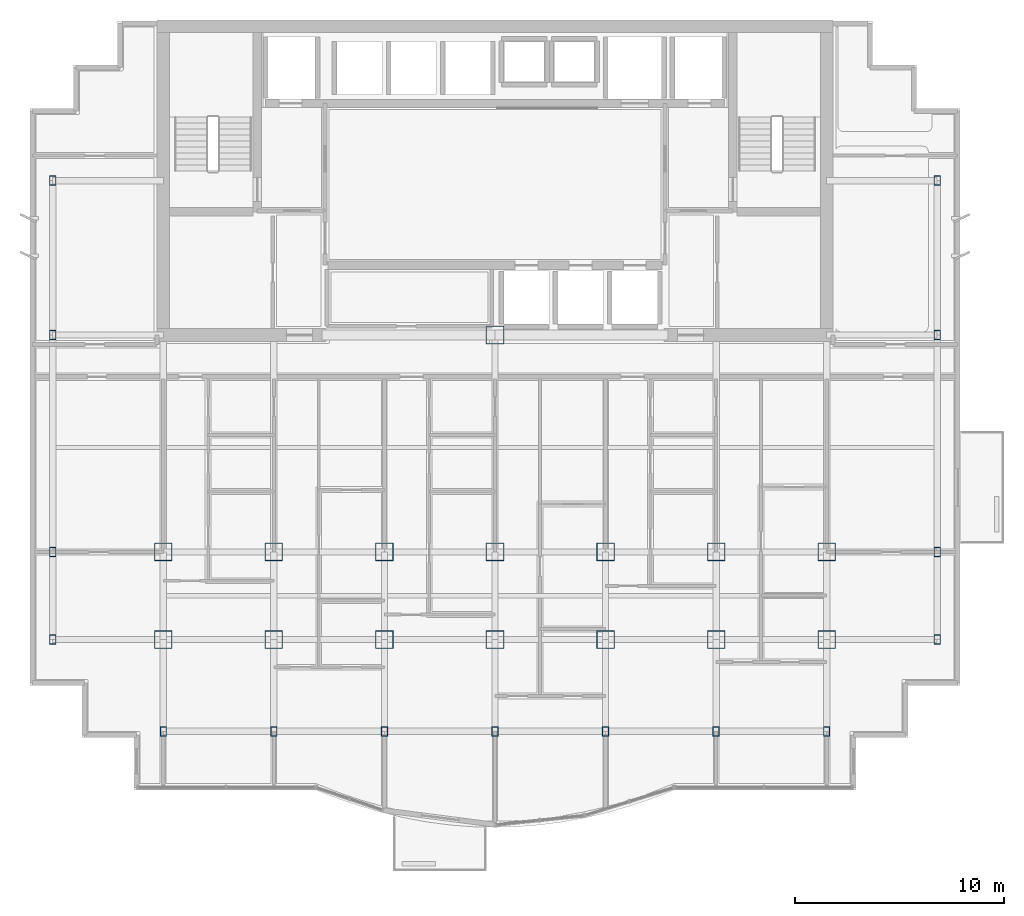
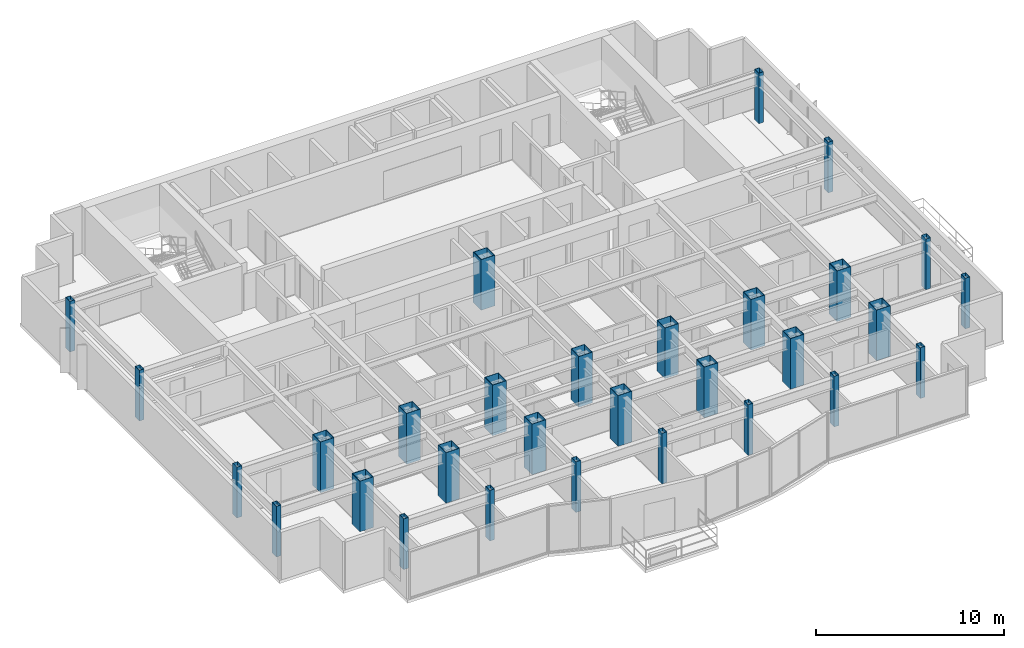
# One storey, part 1 of 11: 30 columns.
"""IFC4 building model written with IfcOpenShell, lengths in metres."""

from ifc_helpers import new_model, si_unit, direction, frame, origin, origin_2d, place, context, subcontext, project, spatial, hollow_rectangle, extrude, material, material_profile, profile_set, type_object, element, save


model = new_model("IFC4")

# Units and contexts
model_context = context("Model", 3, precision=1e-05, world=origin(), true_north=direction((0.0, 1.0)))
body_context = subcontext(model_context, "Body", "Model", "MODEL_VIEW")
ifc_project = project(units=[si_unit("LENGTHUNIT", "METRE"), si_unit("AREAUNIT", "SQUARE_METRE"), si_unit("VOLUMEUNIT", "CUBIC_METRE"), si_unit("PLANEANGLEUNIT", "RADIAN"), si_unit("MASSUNIT", "GRAM", prefix="KILO")], contexts=[model_context])

# Site, building, storey
site_placement = place(None, origin())
site = spatial("IfcSite", under=ifc_project, at=site_placement, CompositionType="ELEMENT")
building_placement = place(site_placement, origin())
building = spatial("IfcBuilding", under=site, at=building_placement, Name="Qianlan Lanfeng Residences", CompositionType="ELEMENT")
storey_placement = place(building_placement, frame((0.0, 0.0, 165.60009765625)))
storey = spatial("IfcBuildingStorey", under=building, at=storey_placement, Name="L45", CompositionType="ELEMENT", Elevation=165.60009765625)

# Columns
ifc_material = material(Name="Steel SN490B", Category="steel")
ifc_material_profile_1 = material_profile(ifc_material, hollow_rectangle(XDim=0.85009765625, YDim=0.85009765625, WallThickness=0.028076171875, at=origin_2d()), Name="BOX 850x850x28")
ifc_profile_set_1 = profile_set([ifc_material_profile_1], Name="Steel SN490B")
column_type_1 = type_object("IfcColumnType", Name="C-B900", PredefinedType="COLUMN", material=ifc_profile_set_1)
for number, where, z_axis, x_axis, name in (
    (1, (26.5, 25.199951171875, 0.0), (0.0, 0.0, 1.0), (1.0, 0.0, 0.0), "L45 Structural Column CP_26.5_25.2"),
    (2, (10.60009765625, 14.800048828125, 0.0), (0.0, 0.0, 1.0), (1.0, 0.0, 0.0), "L45 Structural Column M_10.60_14.80"),
    (3, (10.60009765625, 10.60009765625, 0.0), (0.0, 0.0, 1.0), (1.0, 0.0, 0.0), "L45 Structural Column G_10.60_10.60"),
    (4, (15.89990234375, 14.800048828125, 0.0), (0.0, 0.0, 1.0), (1.0, 0.0, 0.0), "L45 Structural Column M_15.90_14.80"),
    (5, (15.89990234375, 10.60009765625, 0.0), (0.0, 0.0, 1.0), (1.0, 0.0, 0.0), "L45 Structural Column G_15.90_10.60"),
    (6, (21.199951171875, 14.800048828125, 0.0), (0.0, 0.0, 1.0), (1.0, 0.0, 0.0), "L45 Structural Column M_21.20_14.80"),
    (7, (21.199951171875, 10.60009765625, 0.0), (0.0, 0.0, 1.0), (1.0, 0.0, 0.0), "L45 Structural Column G_21.20_10.60"),
    (8, (26.5, 14.800048828125, 0.0), (0.0, 0.0, 1.0), (1.0, 0.0, 0.0), "L45 Structural Column M_26.50_14.80"),
    (9, (26.5, 10.60009765625, 0.0), (0.0, 0.0, 1.0), (1.0, 0.0, 0.0), "L45 Structural Column G_26.50_10.60"),
    (10, (31.800048828125, 14.800048828125, 0.0), (0.0, 0.0, 1.0), (1.0, 0.0, 0.0), "L45 Structural Column M_31.80_14.80"),
    (11, (31.800048828125, 10.60009765625, 0.0), (0.0, 0.0, 1.0), (1.0, 0.0, 0.0), "L45 Structural Column G_31.80_10.60"),
    (12, (37.10009765625, 14.800048828125, 0.0), (0.0, 0.0, 1.0), (1.0, 0.0, 0.0), "L45 Structural Column M_37.10_14.80"),
    (13, (37.10009765625, 10.60009765625, 0.0), (0.0, 0.0, 1.0), (1.0, 0.0, 0.0), "L45 Structural Column G_37.10_10.60"),
    (14, (42.39990234375, 14.800048828125, 0.0), (0.0, 0.0, 1.0), (1.0, 0.0, 0.0), "L45 Structural Column M_42.40_14.80"),
    (15, (42.39990234375, 10.60009765625, 0.0), (0.0, 0.0, 1.0), (1.0, 0.0, 0.0), "L45 Structural Column G_42.40_10.60"),
):
    element("IfcColumn", number, at=place(storey_placement, frame(where, z_axis=z_axis, x_axis=x_axis)), inside=storey, type_object=column_type_1, Name=name, PredefinedType="COLUMN", context=body_context, shape_type="SweptSolid", body=[
        extrude(hollow_rectangle(XDim=0.85009765625, YDim=0.85009765625, WallThickness=0.028076171875, at=origin_2d()), origin(), (0.0, 0.0, 1.0), 3.2998046875),
    ])
ifc_material_profile_2 = material_profile(ifc_material, hollow_rectangle(XDim=0.300048828125, YDim=0.449951171875, WallThickness=0.01611328125, at=origin_2d()), Name="RHS 450x300x16")
ifc_profile_set_2 = profile_set([ifc_material_profile_2], Name="Steel SN490B")
column_type_2 = type_object("IfcColumnType", Name="CE-B950", PredefinedType="COLUMN", material=ifc_profile_set_2)
for number, where, z_axis, x_axis, name in (
    (16, (10.60009765625, 6.199951171875, 0.0), (0.0, 0.0, 1.0), (1.0, 0.0, 0.0), "L45 Structural Column S_10.60_6.20"),
    (17, (15.89990234375, 6.199951171875, 0.0), (0.0, 0.0, 1.0), (1.0, 0.0, 0.0), "L45 Structural Column S_15.90_6.20"),
    (18, (21.199951171875, 6.199951171875, 0.0), (0.0, 0.0, 1.0), (1.0, 0.0, 0.0), "L45 Structural Column S_21.20_6.20"),
    (19, (26.5, 6.199951171875, 0.0), (0.0, 0.0, 1.0), (1.0, 0.0, 0.0), "L45 Structural Column S_26.50_6.20"),
    (20, (31.800048828125, 6.199951171875, 0.0), (0.0, 0.0, 1.0), (1.0, 0.0, 0.0), "L45 Structural Column S_31.80_6.20"),
    (21, (37.10009765625, 6.199951171875, 0.0), (0.0, 0.0, 1.0), (1.0, 0.0, 0.0), "L45 Structural Column S_37.10_6.20"),
    (22, (42.39990234375, 6.199951171875, 0.0), (0.0, 0.0, 1.0), (1.0, 0.0, 0.0), "L45 Structural Column S_42.40_6.20"),
    (23, (5.300048828125, 10.60009765625, 0.0), (0.0, 0.0, 1.0), (1.0, 0.0, 0.0), "L45 Structural Column W_5.30_10.60"),
    (24, (5.300048828125, 14.800048828125, 0.0), (0.0, 0.0, 1.0), (1.0, 0.0, 0.0), "L45 Structural Column W_5.30_14.80"),
    (25, (5.300048828125, 25.199951171875, 0.0), (0.0, 0.0, 1.0), (1.0, 0.0, 0.0), "L45 Structural Column W_5.30_25.20"),
    (26, (5.300048828125, 32.60009765625, 0.0), (0.0, 0.0, 1.0), (1.0, 0.0, 0.0), "L45 Structural Column W_5.30_32.60"),
    (27, (47.699951171875, 10.60009765625, 0.0), (0.0, 0.0, 1.0), (1.0, 0.0, 0.0), "L45 Structural Column W_47.70_10.60"),
    (28, (47.699951171875, 14.800048828125, 0.0), (0.0, 0.0, 1.0), (1.0, 0.0, 0.0), "L45 Structural Column W_47.70_14.80"),
    (29, (47.699951171875, 25.199951171875, 0.0), (0.0, 0.0, 1.0), (1.0, 0.0, 0.0), "L45 Structural Column W_47.70_25.20"),
    (30, (47.699951171875, 32.60009765625, 0.0), (0.0, 0.0, 1.0), (1.0, 0.0, 0.0), "L45 Structural Column W_47.70_32.60"),
):
    element("IfcColumn", number, at=place(storey_placement, frame(where, z_axis=z_axis, x_axis=x_axis)), inside=storey, type_object=column_type_2, Name=name, PredefinedType="COLUMN", context=body_context, shape_type="SweptSolid", body=[
        extrude(hollow_rectangle(XDim=0.300048828125, YDim=0.449951171875, WallThickness=0.01611328125, at=origin_2d()), origin(), (0.0, 0.0, 1.0), 3.2998046875),
    ])

save(model, "model.ifc")
